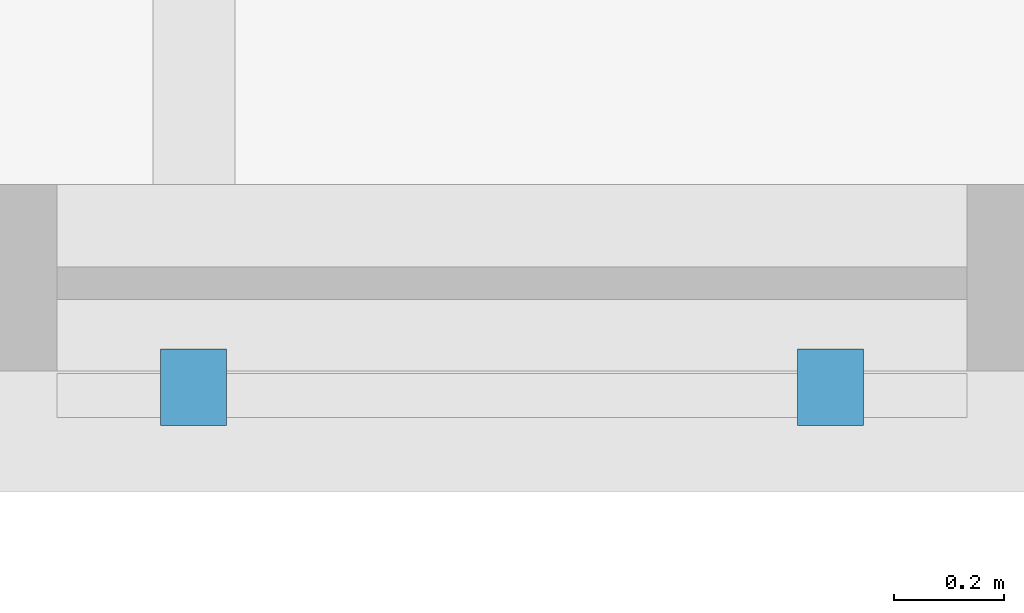
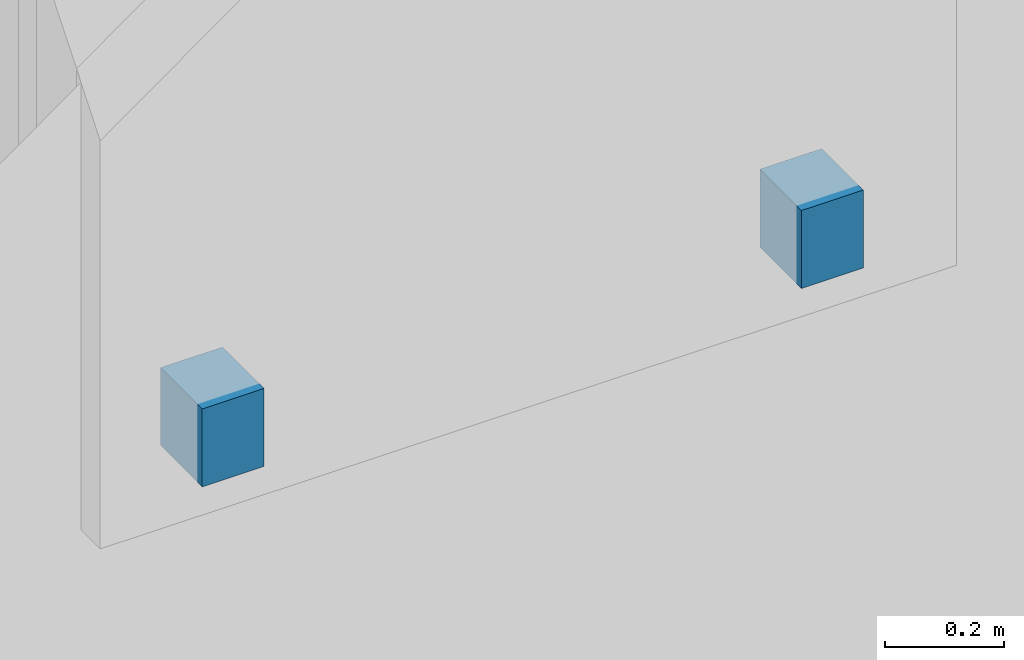
# One storey, part 126 of 146: 2 discrete accessories.
"""IFC4 building model written with IfcOpenShell, lengths in metres."""

from ifc_helpers import new_model, si_unit, direction, frame, origin, origin_2d, place, context, subcontext, project, spatial, rectangle, extrude, material, type_object, element, save


model = new_model("IFC4")

# Units and contexts
model_context = context("Model", 3, precision=1e-05, world=origin(), true_north=direction((0.0, 1.0)))
body_context = subcontext(model_context, "Body", "Model", "MODEL_VIEW")
ifc_project = project(units=[si_unit("LENGTHUNIT", "METRE"), si_unit("AREAUNIT", "SQUARE_METRE"), si_unit("VOLUMEUNIT", "CUBIC_METRE"), si_unit("PLANEANGLEUNIT", "RADIAN"), si_unit("MASSUNIT", "GRAM", prefix="KILO")], contexts=[model_context])

# Site, building, storey
site_placement = place(None, origin())
site = spatial("IfcSite", under=ifc_project, at=site_placement, CompositionType="ELEMENT")
building_placement = place(site_placement, origin())
building = spatial("IfcBuilding", under=site, at=building_placement, Name="Hawrajan Terrace Health Centre", CompositionType="ELEMENT")
storey_placement = place(building_placement, frame((0.0, 0.0, 4.5)))
storey = spatial("IfcBuildingStorey", under=building, at=storey_placement, Name="L01", CompositionType="ELEMENT", Elevation=4.5)

# Discrete accessories
ifc_material = material(Name="Steel S355", Category="steel")
discrete_accessory_type = type_object("IfcDiscreteAccessoryType", Name="FacadeBracket_S355", PredefinedType="BRACKET", material=ifc_material)
for number, where, z_axis, x_axis, name in (
    (1, (52.59912109375, 4.010009765625, 1.06982421875), (0.0, 0.0, 1.0), (1.0, 0.0, 0.0), "Roshan support bracket BRK-L01-084-1"),
    (2, (53.760986328125, 4.010009765625, 1.06982421875), (0.0, 0.0, 1.0), (1.0, 0.0, 0.0), "Roshan support bracket BRK-L01-084-2"),
):
    element("IfcDiscreteAccessory", number, at=place(storey_placement, frame(where, z_axis=z_axis, x_axis=x_axis)), inside=storey, type_object=discrete_accessory_type, Name=name, PredefinedType="BRACKET", context=body_context, shape_type="SweptSolid", body=[
        extrude(rectangle(XDim=0.1201171875, YDim=0.139892578125, at=origin_2d()), origin(), (0.0, 0.0, 1.0), 0.159912109375),
    ])

save(model, "model.ifc")
